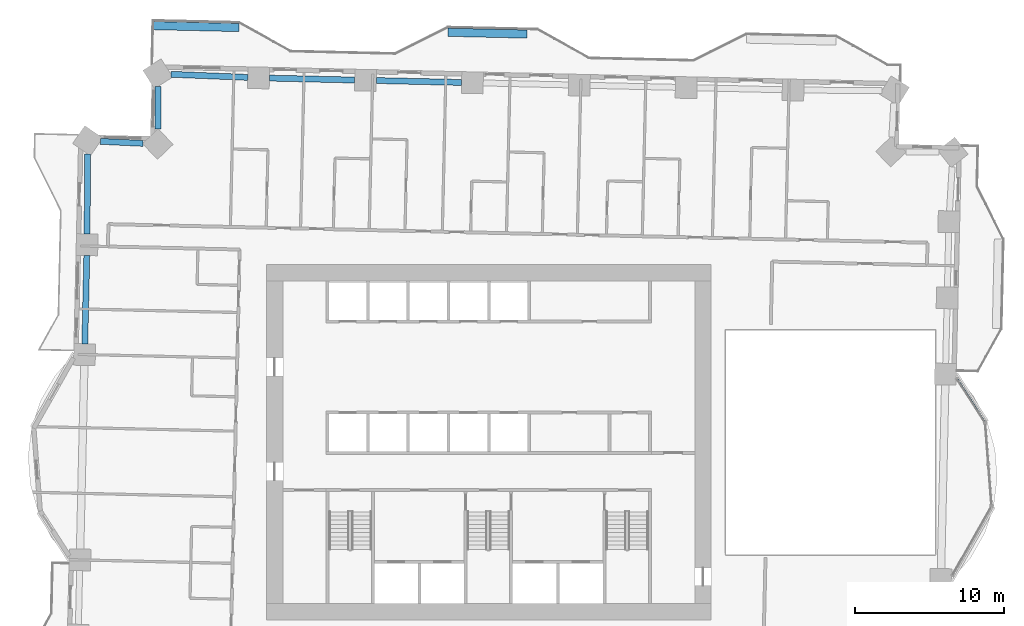
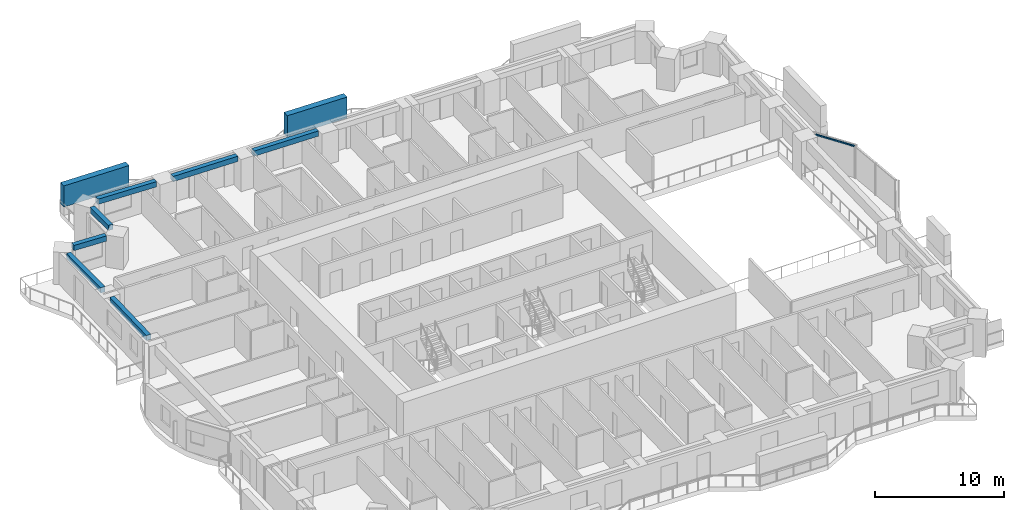
# One storey, part 3 of 18: 7 beams, 3 members, 1 element without a shape of its own.
"""IFC4 building model written with IfcOpenShell, lengths in metres."""

from ifc_helpers import new_model, si_unit, direction, frame, origin, origin_2d, place, context, subcontext, project, spatial, rectangle, extrude, material, material_profile, profile_set, type_object, element, aggregate, save


model = new_model("IFC4")

# Units and contexts
model_context = context("Model", 3, precision=1e-05, world=origin(), true_north=direction((0.0, 1.0)))
body_context = subcontext(model_context, "Body", "Model", "MODEL_VIEW")
ifc_project = project(units=[si_unit("LENGTHUNIT", "METRE"), si_unit("AREAUNIT", "SQUARE_METRE"), si_unit("VOLUMEUNIT", "CUBIC_METRE"), si_unit("PLANEANGLEUNIT", "RADIAN"), si_unit("MASSUNIT", "GRAM", prefix="KILO")], contexts=[model_context])

# Site, building, storey
site_placement = place(None, origin())
site = spatial("IfcSite", under=ifc_project, at=site_placement, CompositionType="ELEMENT")
building_placement = place(site_placement, origin())
building = spatial("IfcBuilding", under=site, at=building_placement, Name="Mangrove Gate Tower", CompositionType="ELEMENT")
storey_placement = place(building_placement, frame((0.0, 0.0, 67.5)))
storey = spatial("IfcBuildingStorey", under=building, at=storey_placement, Name="L16", CompositionType="ELEMENT", Elevation=67.5)

# Curtain wall, member
ifc_material_1 = material(Name="Aluminium and glass curtain wall", Category="aluminium")
curtain_wall_type = type_object("IfcCurtainWallType", Name="Atrium garden-court glazing wall", PredefinedType="NOTDEFINED", material=ifc_material_1)
curtain_wall_placement = place(storey_placement, origin())
curtain_wall = element("IfcCurtainWall", 1, at=curtain_wall_placement, inside=storey, type_object=curtain_wall_type, Name="Atrium garden-court glazing E1f3", PredefinedType="NOTDEFINED")
ifc_material_2 = material(Name="Aluminium alloy 6063-T6", Category="aluminium")
ifc_material_profile_1 = material_profile(ifc_material_2, rectangle(XDim=0.070068359375, YDim=0.14990234375, at=origin_2d()))
ifc_profile_set_1 = profile_set([ifc_material_profile_1], Name="Aluminium alloy 6063-T6")
member_type_1 = type_object("IfcMemberType", Name="Atrium garden-court glazing transom 70x150", PredefinedType="USERDEFINED", material=ifc_profile_set_1)
member_1_placement = place(storey_placement, frame((33.211669921875, 1.364013671875, 3.014892578125), z_axis=(-0.540523675836, 0.841328803656, 0.0), x_axis=(0.0, 0.0, 1.0)))
member_1 = element("IfcMember", 2, at=member_1_placement, type_object=member_type_1, Name="CWA transom 1.2", ObjectType="TRANSOM", PredefinedType="USERDEFINED", context=body_context, shape_type="SweptSolid", body=[
    extrude(rectangle(XDim=0.070068359375, YDim=0.14990234375, at=origin_2d()), origin(), (0.0, 0.0, 1.0), 3.42919921875),
])
aggregate(curtain_wall, [member_1])

# Members
ifc_material_3 = material(Name="Planting on aluminium trellis", Category="aluminium")
ifc_material_profile_2 = material_profile(ifc_material_3, rectangle(XDim=0.550048828125, YDim=2.0, at=origin_2d()))
ifc_profile_set_2 = profile_set([ifc_material_profile_2], Name="Planting on aluminium trellis")
member_type_2 = type_object("IfcMemberType", Name="Balcony greenery screen 550x2000", PredefinedType="USERDEFINED", material=ifc_profile_set_2)
member_2_placement = place(storey_placement, frame((-22.5029296875, 27.9189453125, 1.800048828125), z_axis=(0.999746382879, -0.022520433404, 0.0), x_axis=(0.022520433404, 0.999746382879, 0.0)))
element("IfcMember", 3, at=member_2_placement, inside=storey, type_object=member_type_2, Name="GREEN SCREEN L16 N1.1", ObjectType="PLANTING", PredefinedType="USERDEFINED", context=body_context, shape_type="SweptSolid", body=[
    extrude(rectangle(XDim=0.550048828125, YDim=2.0, at=origin_2d()), origin(), (0.0, 0.0, 1.0), 5.767333984375),
])
member_3_placement = place(storey_placement, frame((-2.739990234375, 27.470947265625, 1.800048828125), z_axis=(0.999744137411, -0.022619896386, 0.0), x_axis=(0.022619896386, 0.999744137411, 0.0)))
element("IfcMember", 4, at=member_3_placement, inside=storey, type_object=member_type_2, Name="GREEN SCREEN L16 N1.2", ObjectType="PLANTING", PredefinedType="USERDEFINED", context=body_context, shape_type="SweptSolid", body=[
    extrude(rectangle(XDim=0.550048828125, YDim=2.0, at=origin_2d()), origin(), (0.0, 0.0, 1.0), 5.299560546875),
])

# Beams
ifc_material_4 = material(Name="Concrete C50/60", Category="concrete")
ifc_material_profile_3 = material_profile(ifc_material_4, rectangle(XDim=0.39990234375, YDim=0.5, at=origin_2d()))
ifc_profile_set_3 = profile_set([ifc_material_profile_3], Name="Concrete C50/60")
beam_type = type_object("IfcBeamType", Name="Edge beam RC 400x500 C50/60", PredefinedType="BEAM", material=ifc_profile_set_3)
beam_1_placement = place(storey_placement, frame((-1.822265625, 24.109619140625, 2.800048828125), z_axis=(-0.999744432359, 0.022606856661, 0.0), x_axis=(-0.022606856661, -0.999744432359, 0.0)))
element("IfcBeam", 5, at=beam_1_placement, inside=storey, type_object=beam_type, Name="Edge beam L16 26", PredefinedType="BEAM", context=body_context, shape_type="SweptSolid", body=[
    extrude(rectangle(XDim=0.39990234375, YDim=0.5, at=origin_2d()), origin(), (0.0, 0.0, 1.0), 5.712890625),
])
beam_2_placement = place(storey_placement, frame((-8.983154296875, 24.271728515625, 2.800048828125), z_axis=(-0.9997414382, 0.022738881792, 0.0), x_axis=(-0.022738881792, -0.9997414382, 0.0)))
element("IfcBeam", 6, at=beam_2_placement, inside=storey, type_object=beam_type, Name="Edge beam L16 27", PredefinedType="BEAM", context=body_context, shape_type="SweptSolid", body=[
    extrude(rectangle(XDim=0.39990234375, YDim=0.5, at=origin_2d()), origin(), (0.0, 0.0, 1.0), 5.7119140625),
])
beam_3_placement = place(storey_placement, frame((-16.14306640625, 24.44775390625, 2.800048828125), z_axis=(-0.999169077481, 0.040757264461, 0.0), x_axis=(-0.040757264461, -0.999169077481, 0.0)))
element("IfcBeam", 7, at=beam_3_placement, inside=storey, type_object=beam_type, Name="Edge beam L16 28", PredefinedType="BEAM", context=body_context, shape_type="SweptSolid", body=[
    extrude(rectangle(XDim=0.39990234375, YDim=0.5, at=origin_2d()), origin(), (0.0, 0.0, 1.0), 5.151611328125),
])
beam_4_placement = place(storey_placement, frame((-22.1728515625, 23.833984375, 2.800048828125), z_axis=(0.000514050652, -0.999999867876, 0.0), x_axis=(0.999999867876, 0.000514050652, 0.0)))
element("IfcBeam", 8, at=beam_4_placement, inside=storey, type_object=beam_type, Name="Edge beam L16 29", PredefinedType="BEAM", context=body_context, shape_type="SweptSolid", body=[
    extrude(rectangle(XDim=0.39990234375, YDim=0.5, at=origin_2d()), origin(), (0.0, 0.0, 1.0), 2.849609375),
])
beam_5_placement = place(storey_placement, frame((-23.170654296875, 20.029296875, 2.800048828125), z_axis=(-0.998867750526, 0.047573279878, 0.0), x_axis=(-0.047573279878, -0.998867750526, 0.0)))
element("IfcBeam", 9, at=beam_5_placement, inside=storey, type_object=beam_type, Name="Edge beam L16 30", PredefinedType="BEAM", context=body_context, shape_type="SweptSolid", body=[
    extrude(rectangle(XDim=0.39990234375, YDim=0.5, at=origin_2d()), origin(), (0.0, 0.0, 1.0), 2.853271484375),
])
beam_6_placement = place(storey_placement, frame((-26.876953125, 19.330078125, 2.800048828125), z_axis=(-0.005777620686, -0.99998330941, 0.0), x_axis=(0.99998330941, -0.005777620686, 0.0)))
element("IfcBeam", 10, at=beam_6_placement, inside=storey, type_object=beam_type, Name="Edge beam L16 31", PredefinedType="BEAM", context=body_context, shape_type="SweptSolid", body=[
    extrude(rectangle(XDim=0.39990234375, YDim=0.5, at=origin_2d()), origin(), (0.0, 0.0, 1.0), 5.366455078125),
])
beam_7_placement = place(storey_placement, frame((-26.9287109375, 12.513671875, 2.800048828125), z_axis=(-0.022667944244, -0.99974304914, 0.0), x_axis=(0.99974304914, -0.022667944244, 0.0)))
element("IfcBeam", 11, at=beam_7_placement, inside=storey, type_object=beam_type, Name="Edge beam L16 32", PredefinedType="BEAM", context=body_context, shape_type="SweptSolid", body=[
    extrude(rectangle(XDim=0.39990234375, YDim=0.5, at=origin_2d()), origin(), (0.0, 0.0, 1.0), 5.912841796875),
])

save(model, "model.ifc")
